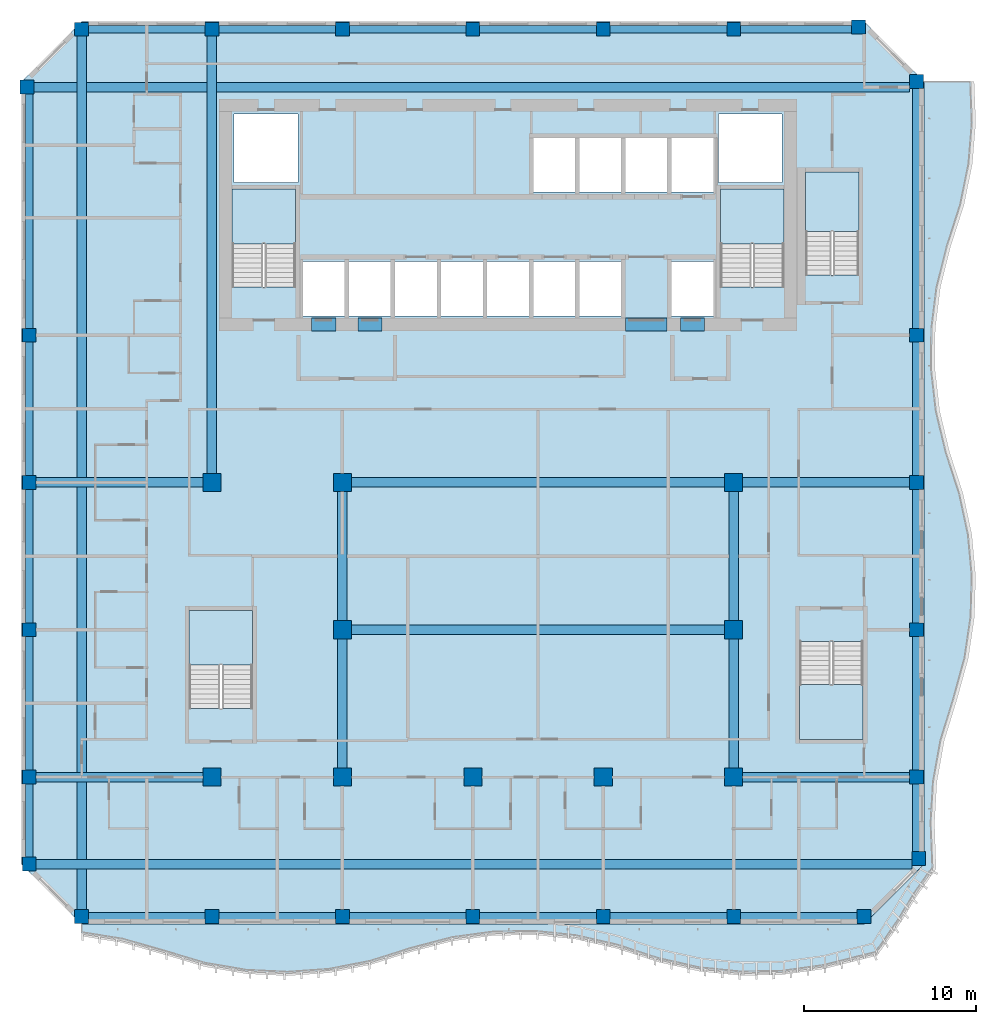
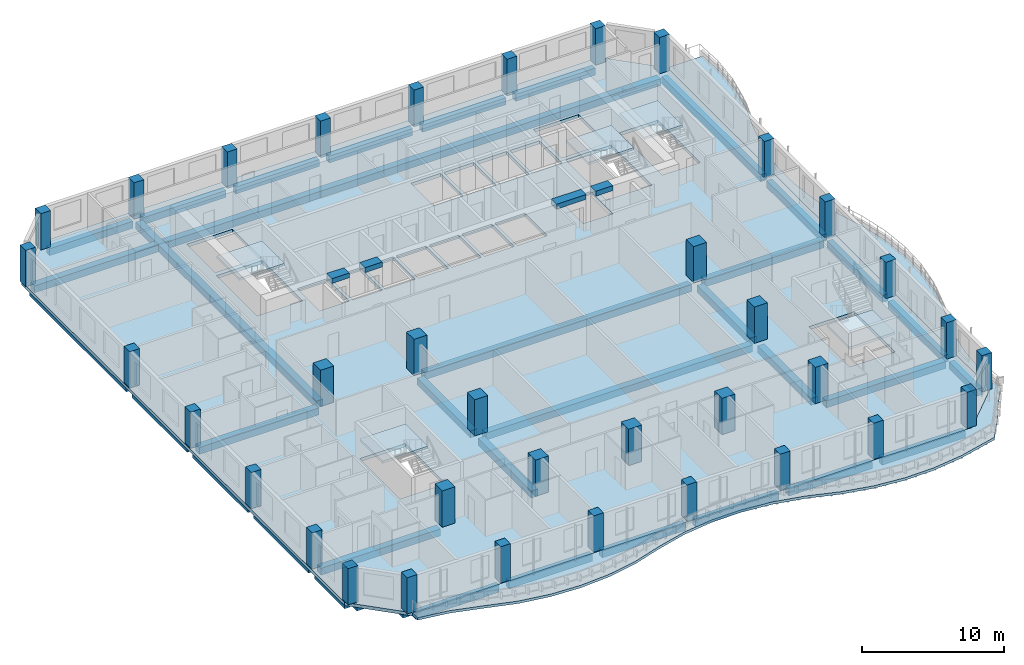
# One storey, part 1 of 21: 40 beams, 36 columns, 7 slabs, 5 elements without a shape of their own.
"""IFC4 building model written with IfcOpenShell, lengths in metres."""

from ifc_helpers import new_model, si_unit, direction, frame, origin, origin_2d, place, context, subcontext, project, spatial, polyline, rectangle, outline, extrude, source, transform, mapped, material, layer, layer_set, material_profile, profile_set, type_object, element, aggregate, save


model = new_model("IFC4")

# Units and contexts
model_context = context("Model", 3, precision=1e-05, world=origin(), true_north=direction((0.0, 1.0)))
body_context = subcontext(model_context, "Body", "Model", "MODEL_VIEW")
ifc_project = project(units=[si_unit("LENGTHUNIT", "METRE"), si_unit("AREAUNIT", "SQUARE_METRE"), si_unit("VOLUMEUNIT", "CUBIC_METRE"), si_unit("PLANEANGLEUNIT", "RADIAN"), si_unit("MASSUNIT", "GRAM", prefix="KILO")], contexts=[model_context])

# Site, building, storey
site_placement = place(None, origin())
site = spatial("IfcSite", under=ifc_project, at=site_placement, CompositionType="ELEMENT")
building_placement = place(site_placement, origin())
building = spatial("IfcBuilding", under=site, at=building_placement, Name="Kilnfold Tower and Market Hall", CompositionType="ELEMENT")
storey_placement = place(building_placement, frame((0.0, 0.0, 185.5)))
storey = spatial("IfcBuildingStorey", under=building, at=storey_placement, Name="L44", CompositionType="ELEMENT", Elevation=185.5)

# Columns
ifc_material_1 = material(Name="Concrete C70", Category="concrete")
ifc_material_profile_1 = material_profile(ifc_material_1, rectangle(XDim=0.800048828125, YDim=0.800048828125, at=origin_2d()), Name="RC 800x800")
ifc_profile_set_1 = profile_set([ifc_material_profile_1], Name="Concrete C70")
column_type_1 = type_object("IfcColumnType", Name="COLUMN 800X800 C70", PredefinedType="COLUMN", material=ifc_profile_set_1)
shared_shape_1 = source(origin(), body_context, "Body", "SweptSolid", [
    extrude(rectangle(XDim=0.800048828125, YDim=0.800048828125, at=origin_2d()), origin(), (0.0, 0.0, 1.0), 3.1201171875),
])
for number, where, z_axis, x_axis, name in (
    (1, (-26.931884765625, 22.431884765625, 0.0), (0.0, 0.0, 1.0), (1.0, 0.0, 0.0), "Column C-B5-1H"),
    (2, (-26.800048828125, -22.75, 0.0), (0.0, 0.0, 1.0), (1.0, 0.0, 0.0), "Column C-B5-1B"),
    (3, (-26.800048828125, -17.6875, 0.0), (0.0, 0.0, 1.0), (1.0, 0.0, 0.0), "Column C-B5-1C"),
    (4, (-26.800048828125, -9.125, 0.0), (0.0, 0.0, 1.0), (1.0, 0.0, 0.0), "Column C-B5-1D"),
    (5, (-26.800048828125, -0.5625, 0.0), (0.0, 0.0, 1.0), (1.0, 0.0, 0.0), "Column C-B5-1E"),
    (6, (-26.800048828125, 8.0, 0.0), (0.0, 0.0, 1.0), (1.0, 0.0, 0.0), "Column C-B5-1F"),
    (7, (-23.75, -25.800048828125, 0.0), (0.0, 0.0, 1.0), (1.0, 0.0, 0.0), "Column C-B5-2A"),
    (8, (-23.75, 25.800048828125, 0.0), (0.0, 0.0, 1.0), (1.0, 0.0, 0.0), "Column C-B5-2I"),
    (9, (-16.166748046875, -25.800048828125, 0.0), (0.0, 0.0, 1.0), (1.0, 0.0, 0.0), "Column C-B5-3A"),
    (10, (-16.166748046875, 25.800048828125, 0.0), (0.0, 0.0, 1.0), (1.0, 0.0, 0.0), "Column C-B5-3I"),
    (11, (-8.583251953125, -25.800048828125, 0.0), (0.0, 0.0, 1.0), (1.0, 0.0, 0.0), "Column C-B5-4A"),
    (12, (-8.583251953125, 25.800048828125, 0.0), (0.0, 0.0, 1.0), (1.0, 0.0, 0.0), "Column C-B5-4I"),
    (13, (-1.0, -25.800048828125, 0.0), (0.0, 0.0, 1.0), (1.0, 0.0, 0.0), "Column C-B5-5A"),
    (14, (-1.0, 25.800048828125, 0.0), (0.0, 0.0, 1.0), (1.0, 0.0, 0.0), "Column C-B5-5I"),
    (15, (6.583251953125, -25.800048828125, 0.0), (0.0, 0.0, 1.0), (1.0, 0.0, 0.0), "Column C-B5-6A"),
    (16, (6.583251953125, 25.800048828125, 0.0), (0.0, 0.0, 1.0), (1.0, 0.0, 0.0), "Column C-B5-6I"),
    (17, (14.166748046875, -25.800048828125, 0.0), (0.0, 0.0, 1.0), (1.0, 0.0, 0.0), "Column C-B5-7A"),
    (18, (14.166748046875, 25.800048828125, 0.0), (0.0, 0.0, 1.0), (1.0, 0.0, 0.0), "Column C-B5-7I"),
    (19, (21.431884765625, 25.931884765625, 0.0), (0.0, 0.0, 1.0), (1.0, 0.0, 0.0), "Column C-B5-8I"),
    (20, (21.75, -25.800048828125, 0.0), (0.0, 0.0, 1.0), (1.0, 0.0, 0.0), "Column C-B5-8A"),
    (21, (24.800048828125, -17.6875, 0.0), (0.0, 0.0, 1.0), (1.0, 0.0, 0.0), "Column C-B5-9C"),
    (22, (24.800048828125, -9.125, 0.0), (0.0, 0.0, 1.0), (1.0, 0.0, 0.0), "Column C-B5-9D"),
    (23, (24.800048828125, -0.5625, 0.0), (0.0, 0.0, 1.0), (1.0, 0.0, 0.0), "Column C-B5-9E"),
    (24, (24.800048828125, 8.0, 0.0), (0.0, 0.0, 1.0), (1.0, 0.0, 0.0), "Column C-B5-9F"),
    (25, (24.800048828125, 22.75, 0.0), (0.0, 0.0, 1.0), (1.0, 0.0, 0.0), "Column C-B5-9H"),
    (26, (24.931884765625, -22.431884765625, 0.0), (0.0, 0.0, 1.0), (1.0, 0.0, 0.0), "Column C-B5-9B"),
):
    element("IfcColumn", number, at=place(storey_placement, frame(where, z_axis=z_axis, x_axis=x_axis)), inside=storey, type_object=column_type_1, Name=name, PredefinedType="COLUMN", context=body_context, shape_type="MappedRepresentation", body=[
        mapped(shared_shape_1, transform((0.0, 0.0, 0.0))),
    ])
ifc_material_2 = material(Name="Concrete C70", Category="concrete")
ifc_material_profile_2 = material_profile(ifc_material_2, rectangle(XDim=1.050048828125, YDim=1.050048828125, at=origin_2d()), Name="RC 1050x1050")
ifc_profile_set_2 = profile_set([ifc_material_profile_2], Name="Concrete C70")
column_type_2 = type_object("IfcColumnType", Name="COLUMN 1050X1050 C70", PredefinedType="COLUMN", material=ifc_profile_set_2)
shared_shape_2 = source(origin(), body_context, "Body", "SweptSolid", [
    extrude(rectangle(XDim=1.050048828125, YDim=1.050048828125, at=origin_2d()), origin(), (0.0, 0.0, 1.0), 3.1201171875),
])
for number, where, z_axis, x_axis, name in (
    (27, (-16.166748046875, -17.6875, 0.0), (0.0, 0.0, 1.0), (1.0, 0.0, 0.0), "Column C-B5-3C"),
    (28, (-16.166748046875, -0.5625, 0.0), (0.0, 0.0, 1.0), (1.0, 0.0, 0.0), "Column C-B5-3E"),
    (29, (-8.583251953125, -17.6875, 0.0), (0.0, 0.0, 1.0), (1.0, 0.0, 0.0), "Column C-B5-4C"),
    (30, (-8.583251953125, -9.125, 0.0), (0.0, 0.0, 1.0), (1.0, 0.0, 0.0), "Column C-B5-4D"),
    (31, (-8.583251953125, -0.5625, 0.0), (0.0, 0.0, 1.0), (1.0, 0.0, 0.0), "Column C-B5-4E"),
    (32, (-1.0, -17.6875, 0.0), (0.0, 0.0, 1.0), (1.0, 0.0, 0.0), "Column C-B5-5C"),
    (33, (6.583251953125, -17.6875, 0.0), (0.0, 0.0, 1.0), (1.0, 0.0, 0.0), "Column C-B5-6C"),
    (34, (14.166748046875, -17.6875, 0.0), (0.0, 0.0, 1.0), (1.0, 0.0, 0.0), "Column C-B5-7C"),
    (35, (14.166748046875, -9.125, 0.0), (0.0, 0.0, 1.0), (1.0, 0.0, 0.0), "Column C-B5-7D"),
    (36, (14.166748046875, -0.5625, 0.0), (0.0, 0.0, 1.0), (1.0, 0.0, 0.0), "Column C-B5-7E"),
):
    element("IfcColumn", number, at=place(storey_placement, frame(where, z_axis=z_axis, x_axis=x_axis)), inside=storey, type_object=column_type_2, Name=name, PredefinedType="COLUMN", context=body_context, shape_type="MappedRepresentation", body=[
        mapped(shared_shape_2, transform((0.0, 0.0, 0.0))),
    ])

# Beams
ifc_material_3 = material(Name="Concrete C45", Category="concrete")
ifc_material_profile_3 = material_profile(ifc_material_3, rectangle(XDim=0.449951171875, YDim=0.60009765625, at=origin_2d()), Name="RC 450x600")
ifc_profile_set_3 = profile_set([ifc_material_profile_3], Name="Concrete C45")
beam_type_1 = type_object("IfcBeamType", Name="EDGE BEAM 450X600 C45", PredefinedType="BEAM", material=ifc_profile_set_3)
shared_shape_3 = source(origin(), body_context, "Body", "SweptSolid", [
    extrude(rectangle(XDim=0.449951171875, YDim=0.60009765625, at=origin_2d()), origin(), (0.0, 0.0, 1.0), 6.783447265625),
])
for number, where, z_axis, x_axis, name in (
    (37, (-23.35009765625, -25.800048828125, -0.580078125), (1.0, 0.0, 0.0), (0.0, 1.0, 0.0), "Beam EB600-B5.45"),
    (38, (-8.183349609375, -25.800048828125, -0.580078125), (1.0, 0.0, 0.0), (0.0, 1.0, 0.0), "Beam EB600-B5.47"),
    (39, (-0.60009765625, -25.800048828125, -0.580078125), (1.0, 0.0, 0.0), (0.0, 1.0, 0.0), "Beam EB600-B5.48"),
    (40, (14.566650390625, -25.800048828125, -0.580078125), (1.0, 0.0, 0.0), (0.0, 1.0, 0.0), "Beam EB600-B5.50"),
    (41, (-23.35009765625, 25.800048828125, -0.580078125), (1.0, 0.0, 0.0), (0.0, 1.0, 0.0), "Beam EB600-B5.59"),
    (42, (-8.183349609375, 25.800048828125, -0.580078125), (1.0, 0.0, 0.0), (0.0, 1.0, 0.0), "Beam EB600-B5.61"),
    (43, (-0.60009765625, 25.800048828125, -0.580078125), (1.0, 0.0, 0.0), (0.0, 1.0, 0.0), "Beam EB600-B5.62"),
):
    element("IfcBeam", number, at=place(storey_placement, frame(where, z_axis=z_axis, x_axis=x_axis)), inside=storey, type_object=beam_type_1, Name=name, PredefinedType="BEAM", context=body_context, shape_type="MappedRepresentation", body=[
        mapped(shared_shape_3, transform((0.0, 0.0, 0.0))),
    ])
shared_shape_4 = source(origin(), body_context, "Body", "SweptSolid", [
    extrude(rectangle(XDim=0.449951171875, YDim=0.60009765625, at=origin_2d()), origin(), (0.0, 0.0, 1.0), 6.783203125),
])
for number, where, z_axis, x_axis, name in (
    (44, (-15.7666015625, -25.800048828125, -0.580078125), (1.0, 0.0, 0.0), (0.0, 1.0, 0.0), "Beam EB600-B5.46"),
    (45, (6.9833984375, -25.800048828125, -0.580078125), (1.0, 0.0, 0.0), (0.0, 1.0, 0.0), "Beam EB600-B5.49"),
    (46, (-15.7666015625, 25.800048828125, -0.580078125), (1.0, 0.0, 0.0), (0.0, 1.0, 0.0), "Beam EB600-B5.60"),
    (47, (6.9833984375, 25.800048828125, -0.580078125), (1.0, 0.0, 0.0), (0.0, 1.0, 0.0), "Beam EB600-B5.63"),
):
    element("IfcBeam", number, at=place(storey_placement, frame(where, z_axis=z_axis, x_axis=x_axis)), inside=storey, type_object=beam_type_1, Name=name, PredefinedType="BEAM", context=body_context, shape_type="MappedRepresentation", body=[
        mapped(shared_shape_4, transform((0.0, 0.0, 0.0))),
    ])
ifc_material_4 = material(Name="Concrete C45", Category="concrete")
ifc_material_profile_4 = material_profile(ifc_material_4, rectangle(XDim=0.550048828125, YDim=0.60009765625, at=origin_2d()), Name="RC 550x600")
ifc_profile_set_4 = profile_set([ifc_material_profile_4], Name="Concrete C45")
beam_type_2 = type_object("IfcBeamType", Name="BEAM 550X600 C45", PredefinedType="BEAM", material=ifc_profile_set_4)
shared_shape_5 = source(origin(), body_context, "Body", "SweptSolid", [
    extrude(rectangle(XDim=0.550048828125, YDim=0.60009765625, at=origin_2d()), origin(), (0.0, 0.0, 1.0), 50.931640625),
])
for number, where, z_axis, x_axis, name in (
    (48, (-26.39990234375, -22.75, -0.580078125), (1.0, 0.0, 0.0), (0.0, 1.0, 0.0), "Beam BB600-B5.51"),
    (49, (-26.53173828125, 22.429931640625, -0.580078125), (1.0, 0.0, 0.0), (0.0, 1.0, 0.0), "Beam BB600-B5.58"),
):
    element("IfcBeam", number, at=place(storey_placement, frame(where, z_axis=z_axis, x_axis=x_axis)), inside=storey, type_object=beam_type_2, Name=name, PredefinedType="BEAM", context=body_context, shape_type="MappedRepresentation", body=[
        mapped(shared_shape_5, transform((0.0, 0.0, 0.0))),
    ])
shared_shape_6 = source(origin(), body_context, "Body", "SweptSolid", [
    extrude(rectangle(XDim=0.449951171875, YDim=0.60009765625, at=origin_2d()), origin(), (0.0, 0.0, 1.0), 6.465087890625),
])
beam_1_placement = place(storey_placement, frame((14.566650390625, 25.800048828125, -0.580078125), z_axis=(1.0, 0.0, 0.0), x_axis=(0.0, 1.0, 0.0)))
element("IfcBeam", 50, at=beam_1_placement, inside=storey, type_object=beam_type_1, Name="Beam EB600-B5.64", PredefinedType="BEAM", context=body_context, shape_type="MappedRepresentation", body=[
    mapped(shared_shape_6, transform((0.0, 0.0, 0.0))),
])
shared_shape_7 = source(origin(), body_context, "Body", "SweptSolid", [
    extrude(rectangle(XDim=0.550048828125, YDim=0.60009765625, at=origin_2d()), origin(), (0.0, 0.0, 1.0), 50.7998046875),
])
beam_2_placement = place(storey_placement, frame((-23.75, -25.39990234375, -0.580078125), z_axis=(0.0, 1.0, 0.0), x_axis=(-1.0, 0.0, 0.0)))
element("IfcBeam", 51, at=beam_2_placement, inside=storey, type_object=beam_type_2, Name="Beam BB600-B5.70", PredefinedType="BEAM", context=body_context, shape_type="MappedRepresentation", body=[
    mapped(shared_shape_7, transform((0.0, 0.0, 0.0))),
])
shared_shape_8 = source(origin(), body_context, "Body", "SweptSolid", [
    extrude(rectangle(XDim=0.550048828125, YDim=0.60009765625, at=origin_2d()), origin(), (0.0, 0.0, 1.0), 9.708251953125),
])
for number, where, z_axis, x_axis, name in (
    (52, (-26.39990234375, -17.68994140625, -0.580078125), (1.0, 0.0, 0.0), (0.0, 1.0, 0.0), "Beam BB600-B5.52"),
    (53, (14.691650390625, -17.68994140625, -0.580078125), (1.0, 0.0, 0.0), (0.0, 1.0, 0.0), "Beam BB600-B5.53"),
    (54, (-26.39990234375, -0.56005859375, -0.580078125), (1.0, 0.0, 0.0), (0.0, 1.0, 0.0), "Beam BB600-B5.55"),
    (55, (14.691650390625, -0.56005859375, -0.580078125), (1.0, 0.0, 0.0), (0.0, 1.0, 0.0), "Beam BB600-B5.57"),
):
    element("IfcBeam", number, at=place(storey_placement, frame(where, z_axis=z_axis, x_axis=x_axis)), inside=storey, type_object=beam_type_2, Name=name, PredefinedType="BEAM", context=body_context, shape_type="MappedRepresentation", body=[
        mapped(shared_shape_8, transform((0.0, 0.0, 0.0))),
    ])
shared_shape_9 = source(origin(), body_context, "Body", "SweptSolid", [
    extrude(rectangle(XDim=0.550048828125, YDim=0.60009765625, at=origin_2d()), origin(), (0.0, 0.0, 1.0), 21.699951171875),
])
for number, where, z_axis, x_axis, name in (
    (56, (-8.058349609375, -9.1201171875, -0.580078125), (1.0, 0.0, 0.0), (0.0, 1.0, 0.0), "Beam BB600-B5.54"),
    (57, (-8.058349609375, -0.56005859375, -0.580078125), (1.0, 0.0, 0.0), (0.0, 1.0, 0.0), "Beam BB600-B5.56"),
):
    element("IfcBeam", number, at=place(storey_placement, frame(where, z_axis=z_axis, x_axis=x_axis)), inside=storey, type_object=beam_type_2, Name=name, PredefinedType="BEAM", context=body_context, shape_type="MappedRepresentation", body=[
        mapped(shared_shape_9, transform((0.0, 0.0, 0.0))),
    ])
shared_shape_10 = source(origin(), body_context, "Body", "SweptSolid", [
    extrude(rectangle(XDim=0.449951171875, YDim=0.60009765625, at=origin_2d()), origin(), (0.0, 0.0, 1.0), 4.2626953125),
])
beam_3_placement = place(storey_placement, frame((-26.800048828125, -22.35009765625, -0.580078125), z_axis=(0.0, 1.0, 0.0), x_axis=(-1.0, 0.0, 0.0)))
element("IfcBeam", 58, at=beam_3_placement, inside=storey, type_object=beam_type_1, Name="Beam EB600-B5.65", PredefinedType="BEAM", context=body_context, shape_type="MappedRepresentation", body=[
    mapped(shared_shape_10, transform((0.0, 0.0, 0.0))),
])
shared_shape_11 = source(origin(), body_context, "Body", "SweptSolid", [
    extrude(rectangle(XDim=0.449951171875, YDim=0.60009765625, at=origin_2d()), origin(), (0.0, 0.0, 1.0), 7.7626953125),
])
for number, where, z_axis, x_axis, name in (
    (59, (-26.800048828125, -17.28759765625, -0.580078125), (0.0, 1.0, 0.0), (-1.0, 0.0, 0.0), "Beam EB600-B5.66"),
    (60, (-26.800048828125, -8.72509765625, -0.580078125), (0.0, 1.0, 0.0), (-1.0, 0.0, 0.0), "Beam EB600-B5.67"),
    (61, (-26.800048828125, -0.16259765625, -0.580078125), (0.0, 1.0, 0.0), (-1.0, 0.0, 0.0), "Beam EB600-B5.68"),
    (62, (24.800048828125, -17.28759765625, -0.580078125), (0.0, 1.0, 0.0), (-1.0, 0.0, 0.0), "Beam EB600-B5.76"),
    (63, (24.800048828125, -8.72509765625, -0.580078125), (0.0, 1.0, 0.0), (-1.0, 0.0, 0.0), "Beam EB600-B5.77"),
    (64, (24.800048828125, -0.16259765625, -0.580078125), (0.0, 1.0, 0.0), (-1.0, 0.0, 0.0), "Beam EB600-B5.78"),
):
    element("IfcBeam", number, at=place(storey_placement, frame(where, z_axis=z_axis, x_axis=x_axis)), inside=storey, type_object=beam_type_1, Name=name, PredefinedType="BEAM", context=body_context, shape_type="MappedRepresentation", body=[
        mapped(shared_shape_11, transform((0.0, 0.0, 0.0))),
    ])
shared_shape_12 = source(origin(), body_context, "Body", "SweptSolid", [
    extrude(rectangle(XDim=0.449951171875, YDim=0.60009765625, at=origin_2d()), origin(), (0.0, 0.0, 1.0), 13.6318359375),
])
beam_4_placement = place(storey_placement, frame((-26.800048828125, 8.39990234375, -0.580078125), z_axis=(0.0, 1.0, 0.0), x_axis=(-1.0, 0.0, 0.0)))
element("IfcBeam", 65, at=beam_4_placement, inside=storey, type_object=beam_type_1, Name="Beam EB600-B5.69", PredefinedType="BEAM", context=body_context, shape_type="MappedRepresentation", body=[
    mapped(shared_shape_12, transform((0.0, 0.0, 0.0))),
])
shared_shape_13 = source(origin(), body_context, "Body", "SweptSolid", [
    extrude(rectangle(XDim=0.550048828125, YDim=0.60009765625, at=origin_2d()), origin(), (0.0, 0.0, 1.0), 7.5126953125),
])
for number, where, z_axis, x_axis, name in (
    (66, (-8.580078125, -17.16259765625, -0.580078125), (0.0, 1.0, 0.0), (-1.0, 0.0, 0.0), "Beam BB600-B5.71"),
    (67, (-8.580078125, -8.60009765625, -0.580078125), (0.0, 1.0, 0.0), (-1.0, 0.0, 0.0), "Beam BB600-B5.72"),
    (68, (14.169921875, -17.16259765625, -0.580078125), (0.0, 1.0, 0.0), (-1.0, 0.0, 0.0), "Beam BB600-B5.73"),
    (69, (14.169921875, -8.60009765625, -0.580078125), (0.0, 1.0, 0.0), (-1.0, 0.0, 0.0), "Beam BB600-B5.74"),
):
    element("IfcBeam", number, at=place(storey_placement, frame(where, z_axis=z_axis, x_axis=x_axis)), inside=storey, type_object=beam_type_2, Name=name, PredefinedType="BEAM", context=body_context, shape_type="MappedRepresentation", body=[
        mapped(shared_shape_13, transform((0.0, 0.0, 0.0))),
    ])
shared_shape_14 = source(origin(), body_context, "Body", "SweptSolid", [
    extrude(rectangle(XDim=0.449951171875, YDim=0.60009765625, at=origin_2d()), origin(), (0.0, 0.0, 1.0), 3.9443359375),
])
beam_5_placement = place(storey_placement, frame((24.800048828125, -22.03173828125, -0.580078125), z_axis=(0.0, 1.0, 0.0), x_axis=(-1.0, 0.0, 0.0)))
element("IfcBeam", 70, at=beam_5_placement, inside=storey, type_object=beam_type_1, Name="Beam EB600-B5.75", PredefinedType="BEAM", context=body_context, shape_type="MappedRepresentation", body=[
    mapped(shared_shape_14, transform((0.0, 0.0, 0.0))),
])
shared_shape_15 = source(origin(), body_context, "Body", "SweptSolid", [
    extrude(rectangle(XDim=0.449951171875, YDim=0.60009765625, at=origin_2d()), origin(), (0.0, 0.0, 1.0), 13.9501953125),
])
beam_6_placement = place(storey_placement, frame((24.800048828125, 8.39990234375, -0.580078125), z_axis=(0.0, 1.0, 0.0), x_axis=(-1.0, 0.0, 0.0)))
element("IfcBeam", 71, at=beam_6_placement, inside=storey, type_object=beam_type_1, Name="Beam EB600-B5.79", PredefinedType="BEAM", context=body_context, shape_type="MappedRepresentation", body=[
    mapped(shared_shape_15, transform((0.0, 0.0, 0.0))),
])
ifc_material_5 = material(Name="Concrete C60", Category="concrete")
ifc_material_profile_5 = material_profile(ifc_material_5, rectangle(XDim=0.75, YDim=0.419921875, at=origin_2d()), Name="RC 750x420")
ifc_profile_set_5 = profile_set([ifc_material_profile_5], Name="Concrete C60")
beam_type_3 = type_object("IfcBeamType", Name="COUPLING BEAM 750X420 C60", PredefinedType="BEAM", material=ifc_profile_set_5)
shared_shape_16 = source(origin(), body_context, "Body", "SweptSolid", [
    extrude(rectangle(XDim=0.75, YDim=0.419921875, at=origin_2d()), origin(), (0.0, 0.0, 1.0), 1.400146484375),
])
beam_7_placement = place(storey_placement, frame((-10.3701171875, 8.625, 2.909912109375), z_axis=(1.0, 0.0, 0.0), x_axis=(0.0, 1.0, 0.0)))
element("IfcBeam", 72, at=beam_7_placement, inside=storey, type_object=beam_type_3, Name="Coupling beam CB420-60-CORE.37", PredefinedType="BEAM", context=body_context, shape_type="MappedRepresentation", body=[
    mapped(shared_shape_16, transform((0.0, 0.0, 0.0))),
])
shared_shape_17 = source(origin(), body_context, "Body", "SweptSolid", [
    extrude(rectangle(XDim=0.75, YDim=0.419921875, at=origin_2d()), origin(), (0.0, 0.0, 1.0), 1.39990234375),
])
for number, where, z_axis, x_axis, name in (
    (73, (-7.68994140625, 8.625, 2.909912109375), (1.0, 0.0, 0.0), (0.0, 1.0, 0.0), "Coupling beam CB420-60-CORE.38"),
    (74, (11.070068359375, 8.625, 2.909912109375), (1.0, 0.0, 0.0), (0.0, 1.0, 0.0), "Coupling beam CB420-60-CORE.40"),
):
    element("IfcBeam", number, at=place(storey_placement, frame(where, z_axis=z_axis, x_axis=x_axis)), inside=storey, type_object=beam_type_3, Name=name, PredefinedType="BEAM", context=body_context, shape_type="MappedRepresentation", body=[
        mapped(shared_shape_17, transform((0.0, 0.0, 0.0))),
    ])
shared_shape_18 = source(origin(), body_context, "Body", "SweptSolid", [
    extrude(rectangle(XDim=0.75, YDim=0.419921875, at=origin_2d()), origin(), (0.0, 0.0, 1.0), 2.400146484375),
])
beam_8_placement = place(storey_placement, frame((7.889892578125, 8.625, 2.909912109375), z_axis=(1.0, 0.0, 0.0), x_axis=(0.0, 1.0, 0.0)))
element("IfcBeam", 75, at=beam_8_placement, inside=storey, type_object=beam_type_3, Name="Coupling beam CB420-60-CORE.39", PredefinedType="BEAM", context=body_context, shape_type="MappedRepresentation", body=[
    mapped(shared_shape_18, transform((0.0, 0.0, 0.0))),
])
shared_shape_19 = source(origin(), body_context, "Body", "SweptSolid", [
    extrude(rectangle(XDim=0.550048828125, YDim=0.60009765625, at=origin_2d()), origin(), (0.0, 0.0, 1.0), 25.4375),
])
beam_9_placement = place(storey_placement, frame((-16.169921875, -0.03759765625, -0.580078125), z_axis=(0.0, 1.0, 0.0), x_axis=(-1.0, 0.0, 0.0)))
element("IfcBeam", 76, at=beam_9_placement, inside=storey, type_object=beam_type_2, Name="Beam BB600-B5.80", PredefinedType="BEAM", context=body_context, shape_type="MappedRepresentation", body=[
    mapped(shared_shape_19, transform((0.0, 0.0, 0.0))),
])

# Slabs
ifc_material_6 = material(Name="Concrete C45", Category="concrete")
ifc_layer_1 = layer(ifc_material_6, 0.280029296875)
ifc_layer_set_1 = layer_set([ifc_layer_1], Name="Concrete C45")
slab_type_1 = type_object("IfcSlabType", Name="FLOOR SLAB 280", PredefinedType="FLOOR", material=ifc_layer_set_1)
shared_shape_20 = source(origin(), body_context, "Body", "SweptSolid", [
    extrude(outline(polyline([(-23.75, -26.25), (21.75, -26.25), (25.25, -22.75), (25.25, 22.75), (21.75, 26.25), (-23.75, 26.25), (-27.25, 22.75), (-27.25, -22.75), (-23.75, -26.25)]), holes=[polyline([(-13.800537109375, -13.699462890625), (-17.49951171875, -13.699462890625), (-17.49951171875, -8.00048828125), (-13.800537109375, -8.00048828125), (-13.800537109375, -13.699462890625)]), polyline([(-14.99951171875, 10.800537109375), (-14.99951171875, 16.49951171875), (-11.300537109375, 16.49951171875), (-11.300537109375, 10.800537109375), (-14.99951171875, 10.800537109375)]), polyline([(-11.175048828125, 16.875), (-14.875, 16.875), (-14.875, 20.875), (-11.175048828125, 20.875), (-11.175048828125, 16.875)]), polyline([(-8.455078125, 9.125), (-10.885009765625, 9.125), (-10.885009765625, 12.27490234375), (-8.455078125, 12.27490234375), (-8.455078125, 9.125)]), polyline([(-5.77490234375, 9.125), (-8.205078125, 9.125), (-8.205078125, 12.27490234375), (-5.77490234375, 12.27490234375), (-5.77490234375, 9.125)]), polyline([(-3.094970703125, 9.125), (-5.52490234375, 9.125), (-5.52490234375, 12.27490234375), (-3.094970703125, 12.27490234375), (-3.094970703125, 9.125)]), polyline([(-0.4150390625, 9.125), (-2.844970703125, 9.125), (-2.844970703125, 12.27490234375), (-0.4150390625, 12.27490234375), (-0.4150390625, 9.125)]), polyline([(2.264892578125, 9.125), (-0.1650390625, 9.125), (-0.1650390625, 12.27490234375), (2.264892578125, 12.27490234375), (2.264892578125, 9.125)]), polyline([(4.945068359375, 9.125), (2.514892578125, 9.125), (2.514892578125, 12.27490234375), (4.945068359375, 12.27490234375), (4.945068359375, 9.125)]), polyline([(2.514892578125, 16.324951171875), (2.514892578125, 19.47509765625), (4.945068359375, 19.47509765625), (4.945068359375, 16.324951171875), (2.514892578125, 16.324951171875)]), polyline([(7.625, 9.125), (5.195068359375, 9.125), (5.195068359375, 12.27490234375), (7.625, 12.27490234375), (7.625, 9.125)]), polyline([(7.625, 16.324951171875), (5.195068359375, 16.324951171875), (5.195068359375, 19.47509765625), (7.625, 19.47509765625), (7.625, 16.324951171875)]), polyline([(10.304931640625, 16.324951171875), (7.875, 16.324951171875), (7.875, 19.47509765625), (10.304931640625, 19.47509765625), (10.304931640625, 16.324951171875)]), polyline([(10.554931640625, 9.125), (10.554931640625, 12.27490234375), (12.985107421875, 12.27490234375), (12.985107421875, 9.125), (10.554931640625, 9.125)]), polyline([(10.554931640625, 16.324951171875), (10.554931640625, 19.47509765625), (12.985107421875, 19.47509765625), (12.985107421875, 16.324951171875), (10.554931640625, 16.324951171875)]), polyline([(13.27490234375, 16.875), (13.27490234375, 20.875), (16.97509765625, 20.875), (16.97509765625, 16.875), (13.27490234375, 16.875)]), polyline([(13.400390625, 10.800537109375), (13.400390625, 16.49951171875), (17.099609375, 16.49951171875), (17.099609375, 10.800537109375), (13.400390625, 10.800537109375)]), polyline([(18.00048828125, -9.800537109375), (21.699462890625, -9.800537109375), (21.699462890625, -15.49951171875), (18.00048828125, -15.49951171875), (18.00048828125, -9.800537109375)]), polyline([(21.449462890625, 11.50048828125), (18.3505859375, 11.50048828125), (18.3505859375, 17.49951171875), (21.449462890625, 17.49951171875), (21.449462890625, 11.50048828125)])]), origin(), (0.0, 0.0, 1.0), 0.280029296875),
])
slab_1_placement = place(storey_placement, frame((0.0, 0.0, -0.280029296875)))
element("IfcSlab", 77, at=slab_1_placement, inside=storey, type_object=slab_type_1, Name="Floor slab L44", PredefinedType="FLOOR", context=body_context, shape_type="MappedRepresentation", body=[
    mapped(shared_shape_20, transform((0.0, 0.0, 0.0))),
])
ifc_material_7 = material(Name="Concrete C40/50", Category="concrete")
ifc_layer_2 = layer(ifc_material_7, 0.219970703125)
ifc_layer_set_2 = layer_set([ifc_layer_2], Name="Concrete C40/50")
slab_type_2 = type_object("IfcSlabType", Name="BALCONY SLAB 220", PredefinedType="FLOOR", material=ifc_layer_set_2)
shared_shape_21 = source(origin(), body_context, "Body", "SweptSolid", [
    extrude(outline(polyline([(-23.75, -26.25), (21.75, -26.25), (25.25, -22.75), (25.25, 22.75), (28.15478515625, 22.75), (28.245361328125, 20.355224609375), (28.05029296875, 17.96044921875), (27.561279296875, 15.56591796875), (26.7900390625, 13.171142578125), (26.190673828125, 10.7763671875), (25.8916015625, 8.381591796875), (25.8798828125, 5.98681640625), (26.15478515625, 3.592041015625), (26.728271484375, 1.197509765625), (27.5068359375, -1.197509765625), (28.02099609375, -3.592041015625), (28.239990234375, -5.98681640625), (28.173095703125, -8.381591796875), (27.817626953125, -10.7763671875), (27.157470703125, -13.171142578125), (26.420654296875, -15.56591796875), (25.989501953125, -17.96044921875), (25.85009765625, -20.355224609375), (25.93896484375, -23.035400390625), (24.801025390625, -24.634521484375), (23.926513671875, -26.093017578125), (22.507080078125, -28.078125), (19.355224609375, -28.861083984375), (16.96044921875, -29.190673828125), (14.56591796875, -29.232177734375), (12.171142578125, -28.98779296875), (9.7763671875, -28.4462890625), (7.381591796875, -27.664794921875), (4.98681640625, -27.11865234375), (2.592041015625, -26.869384765625), (0.197509765625, -26.906494140625), (-2.197509765625, -27.231201171875), (-4.592041015625, -27.8583984375), (-6.98681640625, -28.61669921875), (-9.381591796875, -29.0791015625), (-11.7763671875, -29.248779296875), (-14.171142578125, -29.1328125), (-16.56591796875, -28.726806640625), (-18.96044921875, -28.01220703125), (-21.355224609375, -27.3251953125), (-23.75, -26.9453125), (-23.75, -26.25)])), origin(), (0.0, 0.0, 1.0), 0.219970703125),
])
slab_2_placement = place(storey_placement, frame((0.0, 0.0, -0.219970703125)))
element("IfcSlab", 78, at=slab_2_placement, inside=storey, type_object=slab_type_2, Name="Balcony slab L44", PredefinedType="FLOOR", context=body_context, shape_type="MappedRepresentation", body=[
    mapped(shared_shape_21, transform((0.0, 0.0, 0.0))),
])

# Stair, slab
ifc_material_8 = material(Name="Concrete C40/50", Category="concrete")
stair_type_1 = type_object("IfcStairType", Name="CORE STAIR 1800", PredefinedType="HALF_TURN_STAIR", material=ifc_material_8)
stair_1_placement = place(storey_placement, origin())
stair_1 = element("IfcStair", 79, at=stair_1_placement, inside=storey, type_object=stair_type_1, Name="L44 ST1", PredefinedType="HALF_TURN_STAIR")
ifc_material_9 = material(Name="Concrete C40/50", Category="concrete")
ifc_layer_3 = layer(ifc_material_9, 0.199951171875)
ifc_layer_set_3 = layer_set([ifc_layer_3], Name="Concrete C40/50")
slab_type_3 = type_object("IfcSlabType", Name="CORE STAIR LANDING 200", PredefinedType="LANDING", material=ifc_layer_set_3)
shared_shape_22 = source(origin(), body_context, "Body", "SweptSolid", [
    extrude(outline(polyline([(-11.300048828125, 13.320068359375), (-11.300048828125, 16.5), (-15.0, 16.5), (-15.0, 13.320068359375), (-11.300048828125, 13.320068359375)])), origin(), (0.0, 0.0, 1.0), 0.199951171875),
])
slab_3_placement = place(storey_placement, frame((0.0, 0.0, 1.5)))
slab_3 = element("IfcSlab", 80, at=slab_3_placement, type_object=slab_type_3, Name="ST1 landing 1", PredefinedType="LANDING", context=body_context, shape_type="MappedRepresentation", body=[
    mapped(shared_shape_22, transform((0.0, 0.0, 0.0))),
])
aggregate(stair_1, [slab_3])

stair_2_placement = place(storey_placement, origin())
stair_2 = element("IfcStair", 81, at=stair_2_placement, inside=storey, type_object=stair_type_1, Name="L44 ST2", PredefinedType="HALF_TURN_STAIR")
shared_shape_23 = source(origin(), body_context, "Body", "SweptSolid", [
    extrude(outline(polyline([(17.10009765625, 13.320068359375), (17.10009765625, 16.5), (13.39990234375, 16.5), (13.39990234375, 13.320068359375), (17.10009765625, 13.320068359375)])), origin(), (0.0, 0.0, 1.0), 0.199951171875),
])
slab_4_placement = place(storey_placement, frame((0.0, 0.0, 1.5)))
slab_4 = element("IfcSlab", 82, at=slab_4_placement, type_object=slab_type_3, Name="ST2 landing 1", PredefinedType="LANDING", context=body_context, shape_type="MappedRepresentation", body=[
    mapped(shared_shape_23, transform((0.0, 0.0, 0.0))),
])
aggregate(stair_2, [slab_4])

stair_3_placement = place(storey_placement, origin())
stair_3 = element("IfcStair", 83, at=stair_3_placement, inside=storey, type_object=stair_type_1, Name="L44 ST3", PredefinedType="HALF_TURN_STAIR")
shared_shape_24 = source(origin(), body_context, "Body", "SweptSolid", [
    extrude(outline(polyline([(-13.800048828125, -11.179931640625), (-13.800048828125, -8.0), (-17.5, -8.0), (-17.5, -11.179931640625), (-13.800048828125, -11.179931640625)])), origin(), (0.0, 0.0, 1.0), 0.199951171875),
])
slab_5_placement = place(storey_placement, frame((0.0, 0.0, 1.5)))
slab_5 = element("IfcSlab", 84, at=slab_5_placement, type_object=slab_type_3, Name="ST3 landing 1", PredefinedType="LANDING", context=body_context, shape_type="MappedRepresentation", body=[
    mapped(shared_shape_24, transform((0.0, 0.0, 0.0))),
])
aggregate(stair_3, [slab_5])

stair_4_placement = place(storey_placement, origin())
stair_4 = element("IfcStair", 85, at=stair_4_placement, inside=storey, type_object=stair_type_1, Name="L44 ST4", PredefinedType="HALF_TURN_STAIR")
shared_shape_25 = source(origin(), body_context, "Body", "SweptSolid", [
    extrude(outline(polyline([(18.0, -12.320068359375), (18.0, -15.5), (21.699951171875, -15.5), (21.699951171875, -12.320068359375), (18.0, -12.320068359375)])), origin(), (0.0, 0.0, 1.0), 0.199951171875),
])
slab_6_placement = place(storey_placement, frame((0.0, 0.0, 1.5)))
slab_6 = element("IfcSlab", 86, at=slab_6_placement, type_object=slab_type_3, Name="ST4 landing 1", PredefinedType="LANDING", context=body_context, shape_type="MappedRepresentation", body=[
    mapped(shared_shape_25, transform((0.0, 0.0, 0.0))),
])
aggregate(stair_4, [slab_6])

ifc_material_10 = material(Name="Concrete C40/50", Category="concrete")
stair_type_2 = type_object("IfcStairType", Name="CORE STAIR 1500", PredefinedType="HALF_TURN_STAIR", material=ifc_material_10)
stair_5_placement = place(storey_placement, origin())
stair_5 = element("IfcStair", 87, at=stair_5_placement, inside=storey, type_object=stair_type_2, Name="L44 ST5", PredefinedType="HALF_TURN_STAIR")
shared_shape_26 = source(origin(), body_context, "Body", "SweptSolid", [
    extrude(outline(polyline([(21.449951171875, 14.02001953125), (21.449951171875, 17.5), (18.35009765625, 17.5), (18.35009765625, 14.02001953125), (21.449951171875, 14.02001953125)])), origin(), (0.0, 0.0, 1.0), 0.199951171875),
])
slab_7_placement = place(storey_placement, frame((0.0, 0.0, 1.5)))
slab_7 = element("IfcSlab", 88, at=slab_7_placement, type_object=slab_type_3, Name="ST5 landing 1", PredefinedType="LANDING", context=body_context, shape_type="MappedRepresentation", body=[
    mapped(shared_shape_26, transform((0.0, 0.0, 0.0))),
])
aggregate(stair_5, [slab_7])

save(model, "model.ifc")
